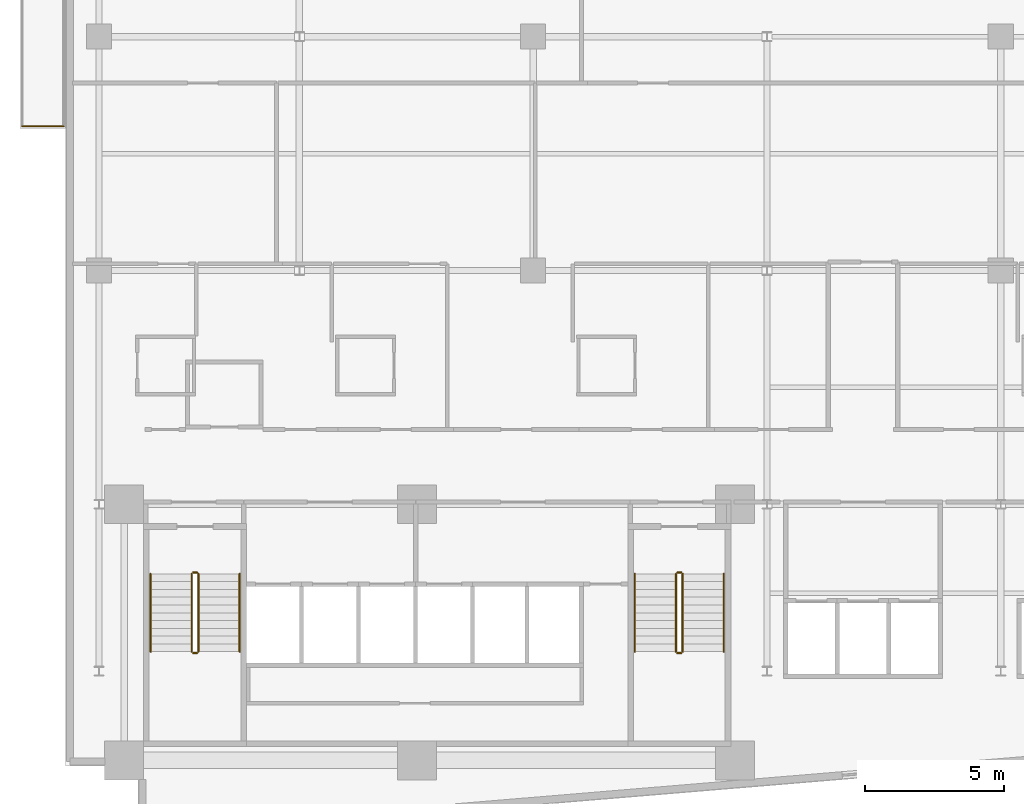
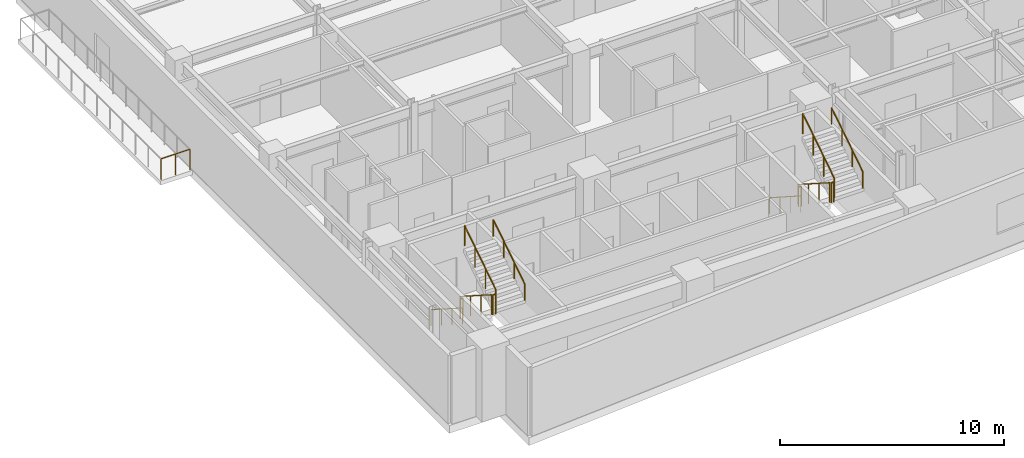
# One storey, part 16 of 20: 13 railings.
"""IFC4 building model written with IfcOpenShell, lengths in metres."""

from ifc_helpers import new_model, si_unit, direction, frame, origin, origin_2d, place, context, subcontext, project, spatial, circle, extrude, material, type_object, element, save


model = new_model("IFC4")

# Units and contexts
model_context = context("Model", 3, precision=1e-05, world=origin(), true_north=direction((0.0, 1.0)))
body_context = subcontext(model_context, "Body", "Model", "MODEL_VIEW")
ifc_project = project(units=[si_unit("LENGTHUNIT", "METRE"), si_unit("AREAUNIT", "SQUARE_METRE"), si_unit("VOLUMEUNIT", "CUBIC_METRE"), si_unit("PLANEANGLEUNIT", "RADIAN"), si_unit("MASSUNIT", "GRAM", prefix="KILO")], contexts=[model_context])

# Site, building, storey
site_placement = place(None, origin())
site = spatial("IfcSite", under=ifc_project, at=site_placement, CompositionType="ELEMENT")
building_placement = place(site_placement, origin())
building = spatial("IfcBuilding", under=site, at=building_placement, Name="Varnakote Quay Hospital", CompositionType="ELEMENT")
storey_placement = place(building_placement, frame((0.0, 0.0, 22.5)))
storey = spatial("IfcBuildingStorey", under=building, at=storey_placement, Name="L05", CompositionType="ELEMENT", Elevation=22.5)

# Railings
ifc_material_1 = material(Name="Anodised aluminium 6063-T6 Bronze", Category="aluminium")
railing_type_1 = type_object("IfcRailingType", Name="RLG-EXT-GUARD-1150", PredefinedType="GUARDRAIL", material=ifc_material_1)
railing_1_placement = place(storey_placement, frame((-0.075927734375, 25.580078125, 0.0)))
element("IfcRailing", 1, at=railing_1_placement, inside=storey, type_object=railing_type_1, Name="L05 Zigzag Prow Healing Terrace Safety Guard", PredefinedType="GUARDRAIL", context=body_context, shape_type="SweptSolid", body=[
    extrude(circle(Radius=0.02392578125, at=origin_2d()), frame((0.0, 0.0, 1.1259765625), z_axis=(-1.0, 0.0, 0.0), x_axis=(0.0, -1.0, 0.0)), (0.0, 0.0, 1.0), 1.484130859375),
    extrude(circle(Radius=0.02099609375, at=origin_2d()), origin(), (0.0, 0.0, 1.0), 1.101806640625),
    extrude(circle(Radius=0.02099609375, at=origin_2d()), frame((-0.7421875, 0.0, 0.0)), (0.0, 0.0, 1.0), 1.101806640625),
    extrude(circle(Radius=0.02099609375, at=origin_2d()), frame((-1.484130859375, 0.0, 0.0)), (0.0, 0.0, 1.0), 1.101806640625),
])
ifc_material_2 = material(Name="Brushed stainless steel balustrade", Category="steel")
railing_type_2 = type_object("IfcRailingType", Name="RLG-STAIR-GUARD-1150", PredefinedType="GUARDRAIL", material=ifc_material_2)
railing_2_placement = place(storey_placement, frame((4.530029296875, 9.5, 0.179443359375)))
element("IfcRailing", 2, at=railing_2_placement, inside=storey, type_object=railing_type_2, Name="L05 ST-01 stair guard 1", PredefinedType="GUARDRAIL", context=body_context, shape_type="SweptSolid", body=[
    extrude(circle(Radius=0.02392578125, at=origin_2d()), frame((0.0, 0.0, 1.076171875), z_axis=(0.0, -0.841776520102, 0.539826166654), x_axis=(1.0, 0.0, 0.0)), (0.0, 0.0, 1.0), 3.326416015625),
    extrude(circle(Radius=0.02099609375, at=origin_2d()), origin(), (0.0, 0.0, 1.0), 1.052001953125),
    extrude(circle(Radius=0.02099609375, at=origin_2d()), frame((0.0, -0.933349609375, 0.5986328125)), (0.0, 0.0, 1.0), 1.052001953125),
    extrude(circle(Radius=0.02099609375, at=origin_2d()), frame((0.0, -1.86669921875, 1.197021484375)), (0.0, 0.0, 1.0), 1.052001953125),
    extrude(circle(Radius=0.02099609375, at=origin_2d()), frame((0.0, -2.800048828125, 1.795654296875)), (0.0, 0.0, 1.0), 1.052001953125),
])
railing_3_placement = place(storey_placement, frame((4.580078125, 6.64990234375, 1.97509765625)))
element("IfcRailing", 3, at=railing_3_placement, inside=storey, type_object=railing_type_2, Name="L05 ST-01 stair guard 2", PredefinedType="GUARDRAIL", context=body_context, shape_type="SweptSolid", body=[
    extrude(circle(Radius=0.02392578125, at=origin_2d()), frame((0.0, 0.0, 1.076171875), z_axis=(1.0, 0.0, 0.0), x_axis=(0.0, 1.0, 0.0)), (0.0, 0.0, 1.0), 0.139892578125),
    extrude(circle(Radius=0.02099609375, at=origin_2d()), origin(), (0.0, 0.0, 1.0), 1.052001953125),
    extrude(circle(Radius=0.02099609375, at=origin_2d()), frame((0.139892578125, 0.0, 0.0)), (0.0, 0.0, 1.0), 1.052001953125),
])
railing_4_placement = place(storey_placement, frame((4.77001953125, 6.699951171875, 2.154541015625)))
element("IfcRailing", 4, at=railing_4_placement, inside=storey, type_object=railing_type_2, Name="L05 ST-01 stair guard 3", PredefinedType="GUARDRAIL", context=body_context, shape_type="SweptSolid", body=[
    extrude(circle(Radius=0.02392578125, at=origin_2d()), frame((0.0, 0.0, 1.076171875), z_axis=(0.0, 0.841809871826, 0.539774156196), x_axis=(-1.0, 0.0, 0.0)), (0.0, 0.0, 1.0), 3.326171875),
    extrude(circle(Radius=0.02099609375, at=origin_2d()), origin(), (0.0, 0.0, 1.0), 1.052001953125),
    extrude(circle(Radius=0.02099609375, at=origin_2d()), frame((0.0, 0.933349609375, 0.598388671875)), (0.0, 0.0, 1.0), 1.052001953125),
    extrude(circle(Radius=0.02099609375, at=origin_2d()), frame((0.0, 1.86669921875, 1.197021484375)), (0.0, 0.0, 1.0), 1.052001953125),
    extrude(circle(Radius=0.02099609375, at=origin_2d()), frame((0.0, 2.800048828125, 1.79541015625)), (0.0, 0.0, 1.0), 1.052001953125),
])
railing_5_placement = place(storey_placement, frame((4.580078125, 9.550048828125, 0.0)))
element("IfcRailing", 5, at=railing_5_placement, inside=storey, type_object=railing_type_2, Name="L05 ST-01 stair guard 4", PredefinedType="GUARDRAIL", context=body_context, shape_type="SweptSolid", body=[
    extrude(circle(Radius=0.02392578125, at=origin_2d()), frame((0.0, 0.0, 1.076171875), z_axis=(1.0, 0.0, 0.0), x_axis=(0.0, 1.0, 0.0)), (0.0, 0.0, 1.0), 0.139892578125),
    extrude(circle(Radius=0.02099609375, at=origin_2d()), origin(), (0.0, 0.0, 1.0), 1.052001953125),
    extrude(circle(Radius=0.02099609375, at=origin_2d()), frame((0.139892578125, 0.0, 0.0)), (0.0, 0.0, 1.0), 1.052001953125),
])
railing_6_placement = place(storey_placement, frame((21.929931640625, 9.5, 0.179443359375)))
element("IfcRailing", 6, at=railing_6_placement, inside=storey, type_object=railing_type_2, Name="L05 ST-02 stair guard 1", PredefinedType="GUARDRAIL", context=body_context, shape_type="SweptSolid", body=[
    extrude(circle(Radius=0.02392578125, at=origin_2d()), frame((0.0, 0.0, 1.076171875), z_axis=(0.0, -0.841776520102, 0.539826166654), x_axis=(1.0, 0.0, 0.0)), (0.0, 0.0, 1.0), 3.326416015625),
    extrude(circle(Radius=0.02099609375, at=origin_2d()), origin(), (0.0, 0.0, 1.0), 1.052001953125),
    extrude(circle(Radius=0.02099609375, at=origin_2d()), frame((0.0, -0.933349609375, 0.5986328125)), (0.0, 0.0, 1.0), 1.052001953125),
    extrude(circle(Radius=0.02099609375, at=origin_2d()), frame((0.0, -1.86669921875, 1.197021484375)), (0.0, 0.0, 1.0), 1.052001953125),
    extrude(circle(Radius=0.02099609375, at=origin_2d()), frame((0.0, -2.800048828125, 1.795654296875)), (0.0, 0.0, 1.0), 1.052001953125),
])
railing_7_placement = place(storey_placement, frame((21.97998046875, 6.64990234375, 1.97509765625)))
element("IfcRailing", 7, at=railing_7_placement, inside=storey, type_object=railing_type_2, Name="L05 ST-02 stair guard 2", PredefinedType="GUARDRAIL", context=body_context, shape_type="SweptSolid", body=[
    extrude(circle(Radius=0.02392578125, at=origin_2d()), frame((0.0, 0.0, 1.076171875), z_axis=(1.0, 0.0, 0.0), x_axis=(0.0, 1.0, 0.0)), (0.0, 0.0, 1.0), 0.14013671875),
    extrude(circle(Radius=0.02099609375, at=origin_2d()), origin(), (0.0, 0.0, 1.0), 1.052001953125),
    extrude(circle(Radius=0.02099609375, at=origin_2d()), frame((0.14013671875, 0.0, 0.0)), (0.0, 0.0, 1.0), 1.052001953125),
])
railing_8_placement = place(storey_placement, frame((22.169921875, 6.699951171875, 2.154541015625)))
element("IfcRailing", 8, at=railing_8_placement, inside=storey, type_object=railing_type_2, Name="L05 ST-02 stair guard 3", PredefinedType="GUARDRAIL", context=body_context, shape_type="SweptSolid", body=[
    extrude(circle(Radius=0.02392578125, at=origin_2d()), frame((0.0, 0.0, 1.076171875), z_axis=(0.0, 0.841809871826, 0.539774156196), x_axis=(-1.0, 0.0, 0.0)), (0.0, 0.0, 1.0), 3.326171875),
    extrude(circle(Radius=0.02099609375, at=origin_2d()), origin(), (0.0, 0.0, 1.0), 1.052001953125),
    extrude(circle(Radius=0.02099609375, at=origin_2d()), frame((0.0, 0.933349609375, 0.598388671875)), (0.0, 0.0, 1.0), 1.052001953125),
    extrude(circle(Radius=0.02099609375, at=origin_2d()), frame((0.0, 1.86669921875, 1.197021484375)), (0.0, 0.0, 1.0), 1.052001953125),
    extrude(circle(Radius=0.02099609375, at=origin_2d()), frame((0.0, 2.800048828125, 1.79541015625)), (0.0, 0.0, 1.0), 1.052001953125),
])
railing_9_placement = place(storey_placement, frame((21.97998046875, 9.550048828125, 0.0)))
element("IfcRailing", 9, at=railing_9_placement, inside=storey, type_object=railing_type_2, Name="L05 ST-02 stair guard 4", PredefinedType="GUARDRAIL", context=body_context, shape_type="SweptSolid", body=[
    extrude(circle(Radius=0.02392578125, at=origin_2d()), frame((0.0, 0.0, 1.076171875), z_axis=(1.0, 0.0, 0.0), x_axis=(0.0, 1.0, 0.0)), (0.0, 0.0, 1.0), 0.14013671875),
    extrude(circle(Radius=0.02099609375, at=origin_2d()), origin(), (0.0, 0.0, 1.0), 1.052001953125),
    extrude(circle(Radius=0.02099609375, at=origin_2d()), frame((0.14013671875, 0.0, 0.0)), (0.0, 0.0, 1.0), 1.052001953125),
])
ifc_material_3 = material(Name="Brushed stainless steel handrail", Category="steel")
railing_type_3 = type_object("IfcRailingType", Name="RLG-STAIR-HND-920", PredefinedType="HANDRAIL", material=ifc_material_3)
railing_10_placement = place(storey_placement, frame((3.050048828125, 9.5, 0.179443359375)))
element("IfcRailing", 10, at=railing_10_placement, inside=storey, type_object=railing_type_3, Name="L05 ST-01 stair handrail 1", PredefinedType="HANDRAIL", context=body_context, shape_type="SweptSolid", body=[
    extrude(circle(Radius=0.02392578125, at=origin_2d()), frame((0.0, 0.0, 0.8759765625), z_axis=(0.0, -0.841776520102, 0.539826166654), x_axis=(1.0, 0.0, 0.0)), (0.0, 0.0, 1.0), 3.326416015625),
    extrude(circle(Radius=0.02099609375, at=origin_2d()), origin(), (0.0, 0.0, 1.0), 0.851806640625),
    extrude(circle(Radius=0.02099609375, at=origin_2d()), frame((0.0, -0.933349609375, 0.5986328125)), (0.0, 0.0, 1.0), 0.851806640625),
    extrude(circle(Radius=0.02099609375, at=origin_2d()), frame((0.0, -1.86669921875, 1.197021484375)), (0.0, 0.0, 1.0), 0.851806640625),
    extrude(circle(Radius=0.02099609375, at=origin_2d()), frame((0.0, -2.800048828125, 1.795654296875)), (0.0, 0.0, 1.0), 0.851806640625),
])
railing_11_placement = place(storey_placement, frame((6.25, 6.699951171875, 2.154541015625)))
element("IfcRailing", 11, at=railing_11_placement, inside=storey, type_object=railing_type_3, Name="L05 ST-01 stair handrail 2", PredefinedType="HANDRAIL", context=body_context, shape_type="SweptSolid", body=[
    extrude(circle(Radius=0.02392578125, at=origin_2d()), frame((0.0, 0.0, 0.8759765625), z_axis=(0.0, 0.841809871826, 0.539774156196), x_axis=(-1.0, 0.0, 0.0)), (0.0, 0.0, 1.0), 3.326171875),
    extrude(circle(Radius=0.02099609375, at=origin_2d()), origin(), (0.0, 0.0, 1.0), 0.851806640625),
    extrude(circle(Radius=0.02099609375, at=origin_2d()), frame((0.0, 0.933349609375, 0.598388671875)), (0.0, 0.0, 1.0), 0.851806640625),
    extrude(circle(Radius=0.02099609375, at=origin_2d()), frame((0.0, 1.86669921875, 1.197021484375)), (0.0, 0.0, 1.0), 0.851806640625),
    extrude(circle(Radius=0.02099609375, at=origin_2d()), frame((0.0, 2.800048828125, 1.79541015625)), (0.0, 0.0, 1.0), 0.851806640625),
])
railing_12_placement = place(storey_placement, frame((20.449951171875, 9.5, 0.179443359375)))
element("IfcRailing", 12, at=railing_12_placement, inside=storey, type_object=railing_type_3, Name="L05 ST-02 stair handrail 1", PredefinedType="HANDRAIL", context=body_context, shape_type="SweptSolid", body=[
    extrude(circle(Radius=0.02392578125, at=origin_2d()), frame((0.0, 0.0, 0.8759765625), z_axis=(0.0, -0.841776520102, 0.539826166654), x_axis=(1.0, 0.0, 0.0)), (0.0, 0.0, 1.0), 3.326416015625),
    extrude(circle(Radius=0.02099609375, at=origin_2d()), origin(), (0.0, 0.0, 1.0), 0.851806640625),
    extrude(circle(Radius=0.02099609375, at=origin_2d()), frame((0.0, -0.933349609375, 0.5986328125)), (0.0, 0.0, 1.0), 0.851806640625),
    extrude(circle(Radius=0.02099609375, at=origin_2d()), frame((0.0, -1.86669921875, 1.197021484375)), (0.0, 0.0, 1.0), 0.851806640625),
    extrude(circle(Radius=0.02099609375, at=origin_2d()), frame((0.0, -2.800048828125, 1.795654296875)), (0.0, 0.0, 1.0), 0.851806640625),
])
railing_13_placement = place(storey_placement, frame((23.64990234375, 6.699951171875, 2.154541015625)))
element("IfcRailing", 13, at=railing_13_placement, inside=storey, type_object=railing_type_3, Name="L05 ST-02 stair handrail 2", PredefinedType="HANDRAIL", context=body_context, shape_type="SweptSolid", body=[
    extrude(circle(Radius=0.02392578125, at=origin_2d()), frame((0.0, 0.0, 0.8759765625), z_axis=(0.0, 0.841809871826, 0.539774156196), x_axis=(-1.0, 0.0, 0.0)), (0.0, 0.0, 1.0), 3.326171875),
    extrude(circle(Radius=0.02099609375, at=origin_2d()), origin(), (0.0, 0.0, 1.0), 0.851806640625),
    extrude(circle(Radius=0.02099609375, at=origin_2d()), frame((0.0, 0.933349609375, 0.598388671875)), (0.0, 0.0, 1.0), 0.851806640625),
    extrude(circle(Radius=0.02099609375, at=origin_2d()), frame((0.0, 1.86669921875, 1.197021484375)), (0.0, 0.0, 1.0), 0.851806640625),
    extrude(circle(Radius=0.02099609375, at=origin_2d()), frame((0.0, 2.800048828125, 1.79541015625)), (0.0, 0.0, 1.0), 0.851806640625),
])

save(model, "model.ifc")
